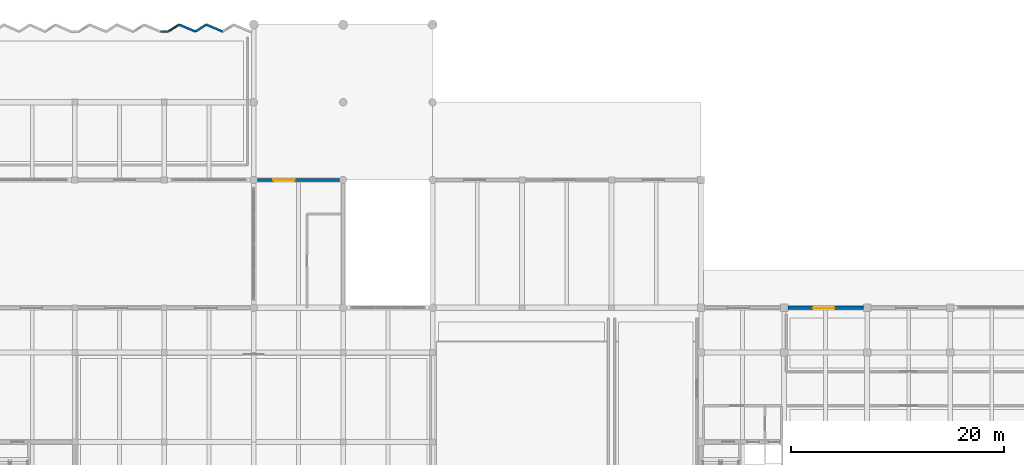
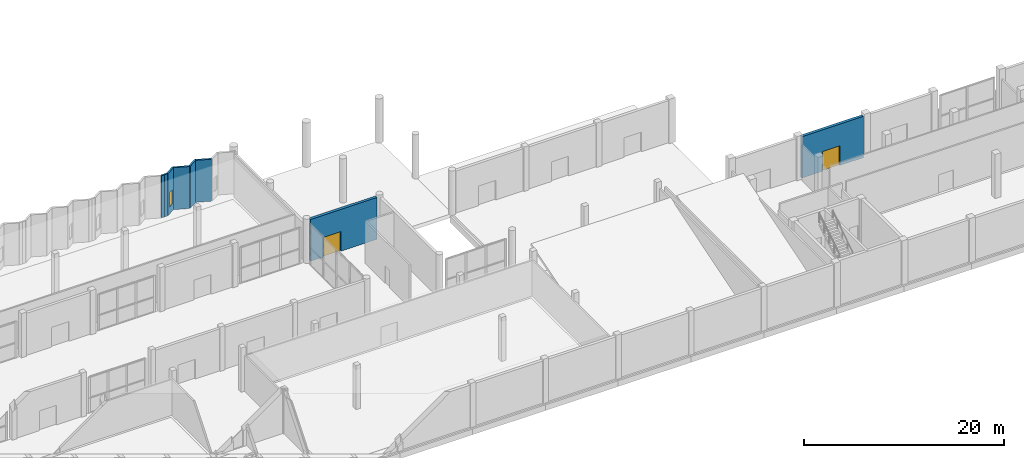
# One storey, part 30 of 41: 8 walls, 2 doors, 1 window, 3 openings.
"""IFC4 building model written with IfcOpenShell, lengths in metres."""

from ifc_helpers import new_model, si_unit, direction, frame, frame_2d, origin, place, context, subcontext, project, spatial, rectangle, extrude, material, layer, layer_set, type_object, element, fill, save


model = new_model("IFC4")

# Units and contexts
model_context = context("Model", 3, precision=1e-05, world=origin(), true_north=direction((0.0, 1.0)))
body_context = subcontext(model_context, "Body", "Model", "MODEL_VIEW")
ifc_project = project(units=[si_unit("LENGTHUNIT", "METRE"), si_unit("AREAUNIT", "SQUARE_METRE"), si_unit("VOLUMEUNIT", "CUBIC_METRE"), si_unit("PLANEANGLEUNIT", "RADIAN"), si_unit("MASSUNIT", "GRAM", prefix="KILO")], contexts=[model_context])

# Site, building, storey
site_placement = place(None, origin())
site = spatial("IfcSite", under=ifc_project, at=site_placement, CompositionType="ELEMENT")
building_placement = place(site_placement, origin())
building = spatial("IfcBuilding", under=site, at=building_placement, Name="Vharandega Faculty of Natural Sciences", CompositionType="ELEMENT")
storey_placement = place(building_placement, origin())
storey = spatial("IfcBuildingStorey", under=building, at=storey_placement, Name="L00", CompositionType="ELEMENT", Elevation=0.0)

# Walls
ifc_material_1 = material(Name="Precast concrete C40/50", Category="concrete")
ifc_layer_1 = layer(ifc_material_1, 0.2099609375, Name="Precast concrete C40/50")
ifc_layer_set_1 = layer_set([ifc_layer_1], Name="Precast concrete C40/50")
wall_type_1 = type_object("IfcWallType", Name="Commons Sawtooth Street Wall 210", PredefinedType="SOLIDWALL", material=ifc_layer_set_1)
wall_1_placement = place(storey_placement, frame((64.050048828125, 110.949951171875, 0.0), z_axis=(0.0, 0.0, 1.0), x_axis=(1.0, 0.0, 0.0)))
element("IfcWall", 1, at=wall_1_placement, inside=storey, type_object=wall_type_1, Name="Exterior Wall EW-V2SHL-L00-9R", PredefinedType="SOLIDWALL", context=body_context, shape_type="SweptSolid", body=[
    extrude(rectangle(XDim=0.349853515625, YDim=0.2099609375, at=frame_2d((0.1748046875, 0.0))), origin(), (0.0, 0.0, 1.0), 5.1201171875),
])
wall_2_placement = place(storey_placement, frame((64.39990234375, 110.949951171875, 0.0), z_axis=(0.0, 0.0, 1.0), x_axis=(1.0, 0.0, 0.0)))
element("IfcWall", 2, at=wall_2_placement, inside=storey, type_object=wall_type_1, Name="Exterior Wall EW-V2SHL-L00-9L", PredefinedType="SOLIDWALL", context=body_context, shape_type="SweptSolid", body=[
    extrude(rectangle(XDim=0.35009765625, YDim=0.2099609375, at=frame_2d((0.175048828125, 0.0))), origin(), (0.0, 0.0, 1.0), 5.1201171875),
])

# Wall, opening, window
wall_3_placement = place(storey_placement, frame((64.760009765625, 110.949951171875, 0.0), z_axis=(0.0, 0.0, 1.0), x_axis=(0.844199803058, 0.536028630315, 0.0)))
wall_3 = element("IfcWall", 3, at=wall_3_placement, inside=storey, type_object=wall_type_1, Name="Exterior Wall EW-V2SAW-L00-25G", PredefinedType="SOLIDWALL", context=body_context, shape_type="SweptSolid", body=[
    extrude(rectangle(XDim=1.212890625, YDim=0.2099609375, at=frame_2d((0.6064453125, 0.0))), origin(), (0.0, 0.0, 1.0), 5.1201171875),
])
opening_1_placement = place(wall_3_placement, frame((0.280029296875, 0.0, 0.85009765625)))
opening_1 = element("IfcOpeningElement", 4, at=opening_1_placement, cuts=wall_3, Name="Opening WN-08", PredefinedType="OPENING", context=body_context, shape_type="SweptSolid", body=[
    extrude(rectangle(XDim=0.699951171875, YDim=1.75, at=frame_2d((0.35009765625, 0.875))), frame((0.0, 0.114990234375, 0.0), z_axis=(0.0, -1.0, 0.0), x_axis=(1.0, 0.0, 0.0)), (0.0, 0.0, 1.0), 0.22998046875),
])
ifc_material_2 = material(Name="Double-glazed solar-control glass in thermally broken aluminium frame", Category="aluminium")
window_type = type_object("IfcWindowType", Name="WIN-COM-070x175", PartitioningType="SINGLE_PANEL", PredefinedType="WINDOW", material=ifc_material_2)
window_placement = place(opening_1_placement, origin())
window = element("IfcWindow", 5, at=window_placement, inside=storey, type_object=window_type, Name="Window WIN-L00-0156", OverallHeight=1.75, OverallWidth=0.699951171875, PartitioningType="SINGLE_PANEL", PredefinedType="WINDOW", context=body_context, shape_type="SweptSolid", body=[
    extrude(rectangle(XDim=0.699951171875, YDim=1.75, at=frame_2d((0.35009765625, 0.875))), frame((0.0, 0.030029296875, 0.0), z_axis=(0.0, -1.0, 0.0), x_axis=(1.0, 0.0, 0.0)), (0.0, 0.0, 1.0), 0.06005859375),
])
fill(opening_1, window)

# Walls
wall_4_placement = place(storey_placement, frame((65.783935546875, 111.60009765625, 0.0), z_axis=(0.0, 0.0, 1.0), x_axis=(0.920914721045, -0.389764129393, 0.0)))
element("IfcWall", 6, at=wall_4_placement, inside=storey, type_object=wall_type_1, Name="Exterior Wall EW-V2SAW-L00-25S", PredefinedType="SOLIDWALL", context=body_context, shape_type="SweptSolid", body=[
    extrude(rectangle(XDim=1.66796875, YDim=0.2099609375, at=frame_2d((0.833984375, 0.0))), origin(), (0.0, 0.0, 1.0), 5.1201171875),
])
wall_5_placement = place(storey_placement, frame((67.320068359375, 110.949951171875, 0.0), z_axis=(0.0, 0.0, 1.0), x_axis=(0.844199803058, 0.536028630315, 0.0)))
element("IfcWall", 7, at=wall_5_placement, inside=storey, type_object=wall_type_1, Name="Exterior Wall EW-V2SAW-L00-26G", PredefinedType="SOLIDWALL", context=body_context, shape_type="SweptSolid", body=[
    extrude(rectangle(XDim=1.212890625, YDim=0.2099609375, at=frame_2d((0.6064453125, 0.0))), origin(), (0.0, 0.0, 1.0), 5.1201171875),
])
wall_6_placement = place(storey_placement, frame((68.343994140625, 111.60009765625, 0.0), z_axis=(0.0, 0.0, 1.0), x_axis=(0.920892481687, -0.389816671234, 0.0)))
element("IfcWall", 8, at=wall_6_placement, inside=storey, type_object=wall_type_1, Name="Exterior Wall EW-V2SAW-L00-26S", PredefinedType="SOLIDWALL", context=body_context, shape_type="SweptSolid", body=[
    extrude(rectangle(XDim=1.667724609375, YDim=0.2099609375, at=frame_2d((0.833984375, 0.0))), origin(), (0.0, 0.0, 1.0), 5.1201171875),
])

# Wall, opening, door
ifc_material_3 = material(Name="Granite ashlar masonry 25 MPa", Category="masonry")
ifc_layer_2 = layer(ifc_material_3, 0.320068359375, Name="Granite ashlar masonry 25 MPa")
ifc_layer_set_2 = layer_set([ifc_layer_2], Name="Granite ashlar masonry 25 MPa")
wall_type_2 = type_object("IfcWallType", Name="Harare Granite Plinth Wall 320", PredefinedType="SOLIDWALL", material=ifc_layer_set_2)
wall_7_placement = place(storey_placement, frame((122.947998046875, 85.0, 0.0), z_axis=(0.0, 0.0, 1.0), x_axis=(1.0, 0.0, 0.0)))
wall_7 = element("IfcWall", 9, at=wall_7_placement, inside=storey, type_object=wall_type_2, Name="Exterior Wall EW-L00-V4N-2", PredefinedType="SOLIDWALL", context=body_context, shape_type="SweptSolid", body=[
    extrude(rectangle(XDim=7.10400390625, YDim=0.320068359375, at=frame_2d((3.552001953125, 0.0))), origin(), (0.0, 0.0, 1.0), 5.050048828125),
])
opening_2_placement = place(wall_7_placement, frame((2.3720703125, 0.0, 0.0)))
opening_2 = element("IfcOpeningElement", 10, at=opening_2_placement, cuts=wall_7, Name="Opening EX-V4-16", PredefinedType="OPENING", context=body_context, shape_type="SweptSolid", body=[
    extrude(rectangle(XDim=2.0, YDim=2.39990234375, at=frame_2d((1.0, 1.199951171875))), frame((0.0, 0.169921875, 0.0), z_axis=(0.0, -1.0, 0.0), x_axis=(1.0, 0.0, 0.0)), (0.0, 0.0, 1.0), 0.340087890625),
])
ifc_material_4 = material(Name="Thermally broken glazed aluminium door", Category="aluminium")
door_type = type_object("IfcDoorType", Name="EXT-ENTRY-DBL-2000x2400", OperationType="DOUBLE_DOOR_SINGLE_SWING", PredefinedType="DOOR", material=ifc_material_4)
door_1_placement = place(opening_2_placement, origin())
door_1 = element("IfcDoor", 11, at=door_1_placement, inside=storey, type_object=door_type, Name="East Podium Exit 16 EX-V4-16", OperationType="DOUBLE_DOOR_SINGLE_SWING", OverallHeight=2.39990234375, OverallWidth=2.0, PredefinedType="DOOR", context=body_context, shape_type="SweptSolid", body=[
    extrude(rectangle(XDim=2.0, YDim=2.39990234375, at=frame_2d((1.0, 1.199951171875))), frame((0.0, 0.02490234375, 0.0), z_axis=(0.0, -1.0, 0.0), x_axis=(1.0, 0.0, 0.0)), (0.0, 0.0, 1.0), 0.050048828125),
])
fill(opening_2, door_1)

wall_8_placement = place(storey_placement, frame((73.14794921875, 97.0, 0.0), z_axis=(0.0, 0.0, 1.0), x_axis=(1.0, 0.0, 0.0)))
wall_8 = element("IfcWall", 12, at=wall_8_placement, inside=storey, type_object=wall_type_2, Name="Exterior Wall EW-L00-V6N", PredefinedType="SOLIDWALL", context=body_context, shape_type="SweptSolid", body=[
    extrude(rectangle(XDim=7.7041015625, YDim=0.320068359375, at=frame_2d((3.85205078125, 0.0))), origin(), (0.0, 0.0, 1.0), 5.10009765625),
])
opening_3_placement = place(wall_8_placement, frame((1.501953125, 0.0, 0.0)))
opening_3 = element("IfcOpeningElement", 13, at=opening_3_placement, cuts=wall_8, Name="Opening ED-MAIN", PredefinedType="OPENING", context=body_context, shape_type="SweptSolid", body=[
    extrude(rectangle(XDim=2.0, YDim=2.39990234375, at=frame_2d((1.0, 1.199951171875))), frame((0.0, 0.169921875, 0.0), z_axis=(0.0, -1.0, 0.0), x_axis=(1.0, 0.0, 0.0)), (0.0, 0.0, 1.0), 0.340087890625),
])
door_2_placement = place(opening_3_placement, origin())
door_2 = element("IfcDoor", 14, at=door_2_placement, inside=storey, type_object=door_type, Name="Main Civic Portico Entrance ED-MAIN", OperationType="DOUBLE_DOOR_SINGLE_SWING", OverallHeight=2.39990234375, OverallWidth=2.0, PredefinedType="DOOR", context=body_context, shape_type="SweptSolid", body=[
    extrude(rectangle(XDim=2.0, YDim=2.39990234375, at=frame_2d((1.0, 1.199951171875))), frame((0.0, 0.02490234375, 0.0), z_axis=(0.0, -1.0, 0.0), x_axis=(1.0, 0.0, 0.0)), (0.0, 0.0, 1.0), 0.050048828125),
])
fill(opening_3, door_2)

save(model, "model.ifc")
